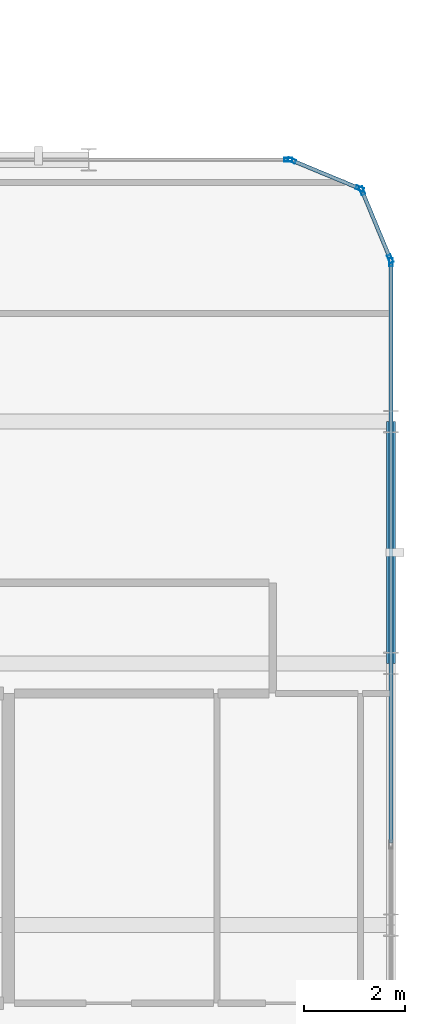
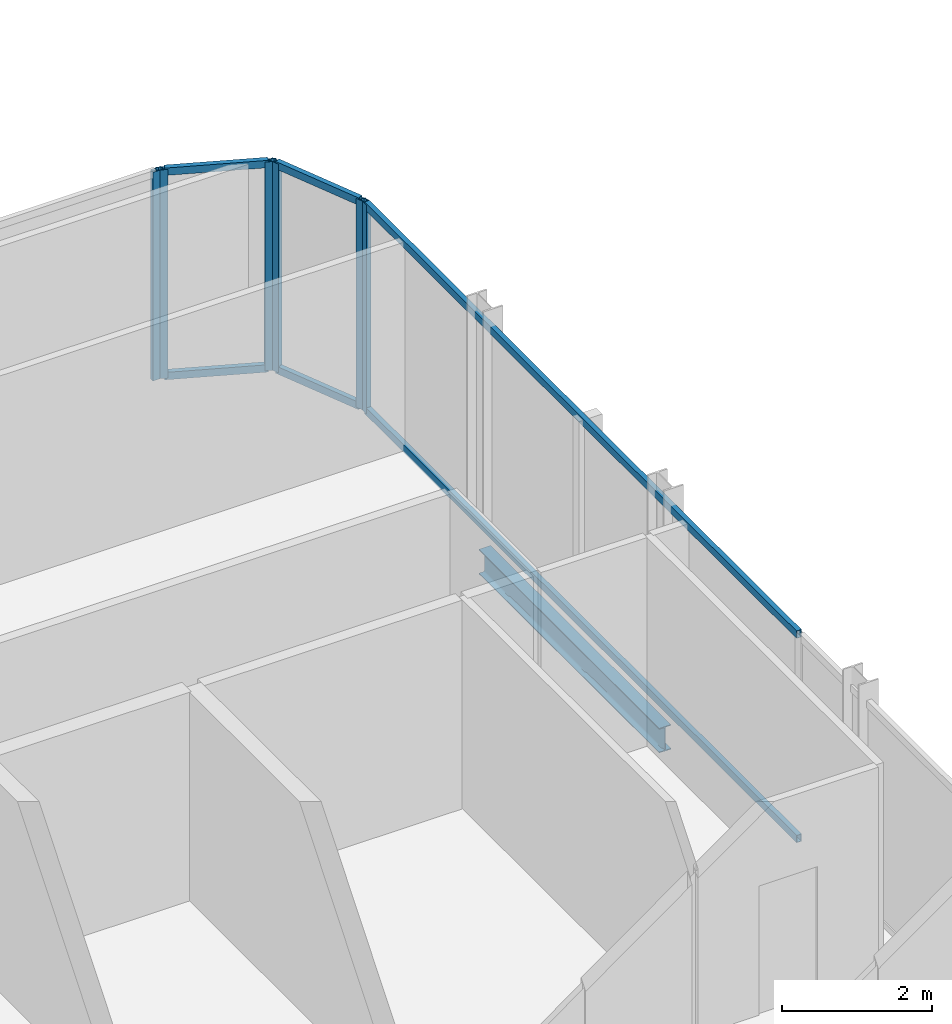
# One storey, part 15 of 29: 12 members, 1 beam, 4 elements without a shape of their own.
"""IFC4 building model written with IfcOpenShell, lengths in metres."""

import ifcopenshell
import ifcopenshell.guid

model = None  # the IFC model being written
_history = None  # IfcOwnerHistory: only IFC2X3 demands one
_inside = {}  # id of a spatial element -> (the spatial element, [elements in it])
_under = {}  # id of a project, library or spatial element -> (it, [spatial elements below it])
_declared = {}  # id of a project -> (the project, [libraries it declares])
_typed = {}  # id of a type object -> (the type object, [elements of that type])
_made_of = {}  # id of a material, layer set ... -> (it, [elements and type objects made of it])


def new_model(schema):
    """Start an empty IFC model of exactly this schema.

    Asked for "IFC4X3", IfcOpenShell would pick the latest addendum, in which some entities
    have other attributes; the version numbers below select the first issue.
    IFC2X3 requires an IfcOwnerHistory on every rooted entity: one is made here for all.
    """
    global model, _history
    if schema == "IFC4X3":
        model = ifcopenshell.file(schema_version=(4, 3, 0, 0))
    else:
        model = ifcopenshell.file(schema=schema)
    _inside.clear()
    _under.clear()
    _declared.clear()
    _typed.clear()
    _made_of.clear()
    _history = None
    if model.schema == "IFC2X3":
        org = make("IfcOrganization", Name="unknown")
        user = make(
            "IfcPersonAndOrganization",
            ThePerson=make("IfcPerson", FamilyName="unknown"),
            TheOrganization=org,
        )
        app = make(
            "IfcApplication",
            ApplicationDeveloper=org,
            Version="unknown",
            ApplicationFullName="unknown",
            ApplicationIdentifier="unknown",
        )
        _history = make(
            "IfcOwnerHistory",
            OwningUser=user,
            OwningApplication=app,
            ChangeAction="ADDED",
            CreationDate=0,
        )
    return model


def make(cls, **values):
    """One entity of the class cls with the attributes given. An attribute that is None is left unset."""
    return model.create_entity(
        cls, **{name: value for name, value in values.items() if value is not None}
    )


def rooted(cls, **values):
    """An entity with a GlobalId (a new one), such as an element, a storey or a relation."""
    return make(cls, GlobalId=ifcopenshell.guid.new(), OwnerHistory=_history, **values)


def si_unit(unit_type, name, prefix=None):
    """IfcSIUnit, for example si_unit("LENGTHUNIT", "METRE", prefix="MILLI")."""
    return make("IfcSIUnit", UnitType=unit_type, Prefix=prefix, Name=name)


def assignment(units):
    """IfcUnitAssignment: the units of a project."""
    return None if units is None else make("IfcUnitAssignment", Units=units)


def point(xyz):
    """IfcCartesianPoint."""
    return None if xyz is None else make("IfcCartesianPoint", Coordinates=xyz)


def direction(xyz):
    """IfcDirection."""
    return None if xyz is None else make("IfcDirection", DirectionRatios=xyz)


def frame(location, z_axis=None, x_axis=None):
    """IfcAxis2Placement3D, a coordinate frame: its origin and axes. An axis left out is left unset."""
    return make(
        "IfcAxis2Placement3D",
        Location=point(location),
        Axis=direction(z_axis),
        RefDirection=direction(x_axis),
    )


def frame_2d(location, x_axis=None):
    """IfcAxis2Placement2D, a coordinate frame in the plane: its origin and x axis."""
    return make(
        "IfcAxis2Placement2D", Location=point(location), RefDirection=direction(x_axis)
    )


def origin():
    """The frame at (0, 0, 0) with its axes left unset."""
    return frame((0.0, 0.0, 0.0))


def origin_2d():
    """The frame at (0, 0) in the plane with its x axis left unset."""
    return frame_2d((0.0, 0.0))


def place(relative_to, where):
    """IfcLocalPlacement: puts the frame where relative to a parent placement (None: the world)."""
    return make(
        "IfcLocalPlacement", PlacementRelTo=relative_to, RelativePlacement=where
    )


def context(
    kind, dimensions, precision=None, world=None, true_north=None, identifier=None
):
    """IfcGeometricRepresentationContext, for example the 3D "Model" context."""
    return make(
        "IfcGeometricRepresentationContext",
        ContextIdentifier=identifier,
        ContextType=kind,
        CoordinateSpaceDimension=dimensions,
        Precision=precision,
        WorldCoordinateSystem=world,
        TrueNorth=true_north,
    )


def subcontext(parent, identifier, kind, view, scale=None):
    """IfcGeometricRepresentationSubContext, for example "Body" below "Model"."""
    return make(
        "IfcGeometricRepresentationSubContext",
        ContextIdentifier=identifier,
        ContextType=kind,
        ParentContext=parent,
        TargetScale=scale,
        TargetView=view,
    )


def project(units=None, contexts=None):
    """IfcProject with its units and contexts."""
    return rooted(
        "IfcProject",
        Name="project",
        RepresentationContexts=contexts,
        UnitsInContext=assignment(units),
    )


def spatial(cls, under=None, at=None, **own):
    """A site, building, storey or space (cls), placed at a placement, below another one or the project."""
    s = rooted(cls, ObjectPlacement=at, **own)
    if under is not None:
        _under.setdefault(under.id(), (under, []))[1].append(s)
    return s


def profile(cls, at=None, kind="AREA", **sizes):
    """A parametric profile (cls). Its sizes go by their IFC names, for example OverallWidth=200.0."""
    return make(cls, ProfileType=kind, Position=at, **sizes)


def hollow_rectangle(**sizes):
    """IfcRectangleHollowProfileDef."""
    return profile("IfcRectangleHollowProfileDef", **sizes)


def i_section(**sizes):
    """IfcIShapeProfileDef."""
    return profile("IfcIShapeProfileDef", **sizes)


def extrude(swept, where, along, depth):
    """IfcExtrudedAreaSolid: the profile swept, set in the frame where, extruded along a direction by depth."""
    return make(
        "IfcExtrudedAreaSolid",
        SweptArea=swept,
        Position=where,
        ExtrudedDirection=direction(along),
        Depth=depth,
    )


def shape(context_of_items, identifier, shape_type, items):
    """IfcShapeRepresentation: the items that make up one representation, for example the "Body"."""
    return make(
        "IfcShapeRepresentation",
        ContextOfItems=context_of_items,
        RepresentationIdentifier=identifier,
        RepresentationType=shape_type,
        Items=items,
    )


def material(Name=None, Category=None):
    """IfcMaterial."""
    return make("IfcMaterial", Name=Name, Category=Category)


def layer(
    of_material, thickness, ventilated=None, Name=None, Category=None, Priority=None
):
    """IfcMaterialLayer: one layer of a wall or slab, of a material (None: an air gap)."""
    return make(
        "IfcMaterialLayer",
        Material=of_material,
        LayerThickness=thickness,
        IsVentilated=ventilated,
        Name=Name,
        Category=Category,
        Priority=Priority,
    )


def layer_set(layers, Name=None):
    """IfcMaterialLayerSet."""
    return make("IfcMaterialLayerSet", MaterialLayers=layers, LayerSetName=Name)


def material_profile(
    of_material, cross_section, Name=None, Category=None, Priority=None
):
    """IfcMaterialProfile: a cross section and its material."""
    return make(
        "IfcMaterialProfile",
        Name=Name,
        Material=of_material,
        Profile=cross_section,
        Priority=Priority,
        Category=Category,
    )


def profile_set(profiles, Name=None, composite=None):
    """IfcMaterialProfileSet."""
    return make(
        "IfcMaterialProfileSet",
        Name=Name,
        MaterialProfiles=profiles,
        CompositeProfile=composite,
    )


def made_of(thing, what):
    """Note that an element or type object is made of a material, layer set ...; save() writes the relation."""
    if what is not None:
        _made_of.setdefault(what.id(), (what, []))[1].append(thing)
    return thing


def type_object(cls, material=None, **own):
    """A type object (cls), such as IfcWallType, which elements share."""
    return made_of(rooted(cls, **own), material)


def element(
    cls,
    number,
    at=None,
    inside=None,
    cuts=None,
    type_object=None,
    material=None,
    context=None,
    identifier="Body",
    shape_type=None,
    held_by="IfcProductDefinitionShape",
    body=None,
    shapes=None,
    **own,
):
    """One element of the class cls, such as IfcWall. Its Tag is "e" and its number.

    at: its placement. inside: the storey or other place that contains it. cuts: it is an
    opening in that element (IfcRelVoidsElement). A single representation is given by context,
    identifier, shape_type and body (its items); several are given by shapes. held_by: the class
    of the entity that holds the representations. save() writes the other relations.
    """
    e = rooted(cls, Tag="e%d" % number, ObjectPlacement=at, **own)
    if body is not None:
        shapes = [shape(context, identifier, shape_type, body)]
    if shapes is not None:
        e.Representation = make(held_by, Representations=shapes)
    if inside is not None:
        _inside.setdefault(inside.id(), (inside, []))[1].append(e)
    if cuts is not None:
        rooted(
            "IfcRelVoidsElement", RelatingBuildingElement=cuts, RelatedOpeningElement=e
        )
    if type_object is not None:
        _typed.setdefault(type_object.id(), (type_object, []))[1].append(e)
    return made_of(e, material)


def aggregate(whole, parts):
    """IfcRelAggregates: a whole, such as a stair, and the parts it consists of."""
    return rooted("IfcRelAggregates", RelatingObject=whole, RelatedObjects=parts)


def save(model, path):
    """Write the relations noted so far, then the file.

    IfcRelAggregates (storeys below a building ...), IfcRelContainedInSpatialStructure (elements
    in a storey), IfcRelDefinesByType, IfcRelAssociatesMaterial and IfcRelDeclares: one each for
    every whole, place, type object, material and project.
    """
    for whole, parts in _under.values():
        aggregate(whole, parts)
    for where, things in _inside.values():
        rooted(
            "IfcRelContainedInSpatialStructure",
            RelatedElements=things,
            RelatingStructure=where,
        )
    for kind, things in _typed.values():
        rooted("IfcRelDefinesByType", RelatedObjects=things, RelatingType=kind)
    for what, things in _made_of.values():
        rooted("IfcRelAssociatesMaterial", RelatedObjects=things, RelatingMaterial=what)
    for by, libraries in _declared.values():
        rooted("IfcRelDeclares", RelatingContext=by, RelatedDefinitions=libraries)
    model.write(path)


model = new_model("IFC4")

# Units and contexts
model_context = context("Model", 3, precision=1e-05, world=origin(), true_north=direction((0.0, 1.0)))
body_context = subcontext(model_context, "Body", "Model", "MODEL_VIEW")
ifc_project = project(units=[si_unit("LENGTHUNIT", "METRE"), si_unit("AREAUNIT", "SQUARE_METRE"), si_unit("VOLUMEUNIT", "CUBIC_METRE"), si_unit("PLANEANGLEUNIT", "RADIAN"), si_unit("MASSUNIT", "GRAM", prefix="KILO")], contexts=[model_context])

# Site, building, storey
site_placement = place(None, origin())
site = spatial("IfcSite", under=ifc_project, at=site_placement, CompositionType="ELEMENT")
building_placement = place(site_placement, origin())
building = spatial("IfcBuilding", under=site, at=building_placement, Name="Keshet Zoharim Tower", CompositionType="ELEMENT")
storey_placement = place(building_placement, frame((0.0, 0.0, 188.39990234375)))
storey = spatial("IfcBuildingStorey", under=building, at=storey_placement, Name="L46", CompositionType="ELEMENT", Elevation=188.39990234375)

# Beam
ifc_material_1 = material(Name="Steel S355", Category="steel")
ifc_material_profile_1 = material_profile(ifc_material_1, i_section(OverallWidth=0.179931640625, OverallDepth=0.39990234375, WebThickness=0.008544921875, FlangeThickness=0.013427734375, FilletRadius=0.02099609375, at=origin_2d()), Name="IPE400")
ifc_profile_set_1 = profile_set([ifc_material_profile_1], Name="Steel S355")
beam_type = type_object("IfcBeamType", Name="BM-PRI-IP400", PredefinedType="BEAM", material=ifc_profile_set_1)
beam_placement = place(storey_placement, frame((57.0, 17.89990234375, -0.510009765625), z_axis=(0.0, 1.0, 0.0), x_axis=(-1.0, 0.0, 0.0)))
element("IfcBeam", 1, at=beam_placement, inside=storey, type_object=beam_type, Name="L46 Primary Girder Y-015", PredefinedType="BEAM", context=body_context, shape_type="SweptSolid", body=[
    extrude(i_section(OverallWidth=0.179931640625, OverallDepth=0.39990234375, WebThickness=0.008544921875, FlangeThickness=0.013427734375, FilletRadius=0.02099609375, at=origin_2d()), origin(), (0.0, 0.0, 1.0), 4.800048828125),
])

# Curtain wall, members
ifc_material_2 = material(Name="Aluminium 6063-T6", Category="aluminium")
ifc_layer = layer(ifc_material_2, 0.139892578125)
ifc_layer_set = layer_set([ifc_layer], Name="Aluminium 6063-T6")
curtain_wall_type = type_object("IfcCurtainWallType", Name="CW-SYS-05", PredefinedType="NOTDEFINED", material=ifc_layer_set)
curtain_wall_1_placement = place(storey_placement, origin())
curtain_wall_1 = element("IfcCurtainWall", 2, at=curtain_wall_1_placement, inside=storey, type_object=curtain_wall_type, Name="L46 Unitised Curtain Wall 01", PredefinedType="NOTDEFINED")
ifc_material_profile_2 = material_profile(ifc_material_2, hollow_rectangle(XDim=0.074951171875, YDim=0.159912109375, WallThickness=0.00390625, at=origin_2d()), Name="MUL-75x160")
ifc_profile_set_2 = profile_set([ifc_material_profile_2], Name="Aluminium 6063-T6")
member_type_1 = type_object("IfcMemberType", Name="CWM-M15", PredefinedType="MULLION", material=ifc_profile_set_2)
member_1_placement = place(storey_placement, frame((55.0322265625, 27.88671875, 0.0), z_axis=(0.0, 0.0, 1.0), x_axis=(0.382851849847, 0.92380975372, 0.0)))
member_1 = element("IfcMember", 3, at=member_1_placement, type_object=member_type_1, Name="CW-05 mullion 1", PredefinedType="MULLION", context=body_context, shape_type="SweptSolid", body=[
    extrude(hollow_rectangle(XDim=0.074951171875, YDim=0.159912109375, WallThickness=0.00390625, at=origin_2d()), origin(), (0.0, 0.0, 1.0), 3.39013671875),
])
member_2_placement = place(storey_placement, frame((56.381591796875, 27.327392578125, 0.0), z_axis=(0.0, 0.0, 1.0), x_axis=(0.382851849847, 0.92380975372, 0.0)))
member_2 = element("IfcMember", 4, at=member_2_placement, type_object=member_type_1, Name="CW-05 mullion 2", PredefinedType="MULLION", context=body_context, shape_type="SweptSolid", body=[
    extrude(hollow_rectangle(XDim=0.074951171875, YDim=0.159912109375, WallThickness=0.00390625, at=origin_2d()), origin(), (0.0, 0.0, 1.0), 3.39013671875),
])

curtain_wall_2_placement = place(storey_placement, origin())
curtain_wall_2 = element("IfcCurtainWall", 5, at=curtain_wall_2_placement, inside=storey, type_object=curtain_wall_type, Name="L46 Unitised Curtain Wall 02", PredefinedType="NOTDEFINED")
member_3_placement = place(storey_placement, frame((56.427490234375, 27.28173828125, 0.0), z_axis=(0.0, 0.0, 1.0), x_axis=(0.92380975372, 0.382851849847, 0.0)))
member_3 = element("IfcMember", 6, at=member_3_placement, type_object=member_type_1, Name="CW-05 mullion 1", PredefinedType="MULLION", context=body_context, shape_type="SweptSolid", body=[
    extrude(hollow_rectangle(XDim=0.074951171875, YDim=0.159912109375, WallThickness=0.00390625, at=origin_2d()), origin(), (0.0, 0.0, 1.0), 3.39013671875),
])
member_4_placement = place(storey_placement, frame((56.986572265625, 25.932373046875, 0.0), z_axis=(0.0, 0.0, 1.0), x_axis=(0.92380975372, 0.382851849847, 0.0)))
member_4 = element("IfcMember", 7, at=member_4_placement, type_object=member_type_1, Name="CW-05 mullion 2", PredefinedType="MULLION", context=body_context, shape_type="SweptSolid", body=[
    extrude(hollow_rectangle(XDim=0.074951171875, YDim=0.159912109375, WallThickness=0.00390625, at=origin_2d()), origin(), (0.0, 0.0, 1.0), 3.39013671875),
])

# Curtain wall, member
curtain_wall_3_placement = place(storey_placement, origin())
curtain_wall_3 = element("IfcCurtainWall", 8, at=curtain_wall_3_placement, inside=storey, type_object=curtain_wall_type, Name="L46 Unitised Curtain Wall 03", PredefinedType="NOTDEFINED")
member_5_placement = place(storey_placement, frame((57.0, 25.864990234375, 0.0), z_axis=(0.0, 0.0, 1.0), x_axis=(1.0, 0.0, 0.0)))
member_5 = element("IfcMember", 9, at=member_5_placement, type_object=member_type_1, Name="CW-05 mullion 1", PredefinedType="MULLION", context=body_context, shape_type="SweptSolid", body=[
    extrude(hollow_rectangle(XDim=0.074951171875, YDim=0.159912109375, WallThickness=0.00390625, at=origin_2d()), origin(), (0.0, 0.0, 1.0), 3.39013671875),
])

curtain_wall_4_placement = place(storey_placement, origin())
curtain_wall_4 = element("IfcCurtainWall", 10, at=curtain_wall_4_placement, inside=storey, type_object=curtain_wall_type, Name="L46 Unitised Curtain Wall 20 Part 2", PredefinedType="NOTDEFINED")
member_6_placement = place(storey_placement, frame((54.965087890625, 27.89990234375, 0.0), z_axis=(0.0, 0.0, 1.0), x_axis=(0.0, 1.0, 0.0)))
member_6 = element("IfcMember", 11, at=member_6_placement, type_object=member_type_1, Name="CW-05 mullion 2", PredefinedType="MULLION", context=body_context, shape_type="SweptSolid", body=[
    extrude(hollow_rectangle(XDim=0.074951171875, YDim=0.159912109375, WallThickness=0.00390625, at=origin_2d()), origin(), (0.0, 0.0, 1.0), 3.39013671875),
])
aggregate(curtain_wall_4, [member_6])

# Member
ifc_material_profile_3 = material_profile(ifc_material_2, hollow_rectangle(XDim=0.074951171875, YDim=0.1201171875, WallThickness=0.00390625, at=origin_2d()), Name="TRN-75x120")
ifc_profile_set_3 = profile_set([ifc_material_profile_3], Name="Aluminium 6063-T6")
member_type_2 = type_object("IfcMemberType", Name="CWT-T12", PredefinedType="USERDEFINED", material=ifc_profile_set_3)
member_7_placement = place(storey_placement, frame((55.064697265625, 27.873291015625, 0.03515625), z_axis=(0.92379209995, -0.382894445076, 0.0), x_axis=(0.382894445076, 0.92379209995, 0.0)))
member_7 = element("IfcMember", 12, at=member_7_placement, type_object=member_type_2, Name="CW-05 transom 1.1", ObjectType="TRANSOM", PredefinedType="USERDEFINED", context=body_context, shape_type="SweptSolid", body=[
    extrude(hollow_rectangle(XDim=0.074951171875, YDim=0.1201171875, WallThickness=0.00390625, at=origin_2d()), origin(), (0.0, 0.0, 1.0), 1.390625),
])

member_8_placement = place(storey_placement, frame((55.064697265625, 27.873291015625, 3.35498046875), z_axis=(0.92379209995, -0.382894445076, 0.0), x_axis=(0.382894445076, 0.92379209995, 0.0)))
member_8 = element("IfcMember", 13, at=member_8_placement, type_object=member_type_2, Name="CW-05 transom 1.2", ObjectType="TRANSOM", PredefinedType="USERDEFINED", context=body_context, shape_type="SweptSolid", body=[
    extrude(hollow_rectangle(XDim=0.074951171875, YDim=0.1201171875, WallThickness=0.00390625, at=origin_2d()), origin(), (0.0, 0.0, 1.0), 1.390625),
])

aggregate(curtain_wall_1, [member_1, member_2, member_7, member_8])

member_9_placement = place(storey_placement, frame((56.44091796875, 27.249267578125, 0.03515625), z_axis=(0.382744609247, -0.923854189844, 0.0), x_axis=(0.923854189844, 0.382744609247, 0.0)))
member_9 = element("IfcMember", 14, at=member_9_placement, type_object=member_type_2, Name="CW-05 transom 1.1", ObjectType="TRANSOM", PredefinedType="USERDEFINED", context=body_context, shape_type="SweptSolid", body=[
    extrude(hollow_rectangle(XDim=0.074951171875, YDim=0.1201171875, WallThickness=0.00390625, at=origin_2d()), origin(), (0.0, 0.0, 1.0), 1.390625),
])

member_10_placement = place(storey_placement, frame((56.44091796875, 27.249267578125, 3.35498046875), z_axis=(0.382744609247, -0.923854189844, 0.0), x_axis=(0.923854189844, 0.382744609247, 0.0)))
member_10 = element("IfcMember", 15, at=member_10_placement, type_object=member_type_2, Name="CW-05 transom 1.2", ObjectType="TRANSOM", PredefinedType="USERDEFINED", context=body_context, shape_type="SweptSolid", body=[
    extrude(hollow_rectangle(XDim=0.074951171875, YDim=0.1201171875, WallThickness=0.00390625, at=origin_2d()), origin(), (0.0, 0.0, 1.0), 1.390625),
])

aggregate(curtain_wall_2, [member_3, member_4, member_9, member_10])

member_11_placement = place(storey_placement, frame((57.0, 25.830078125, 0.03515625), z_axis=(0.0, -1.0, 0.0), x_axis=(1.0, 0.0, 0.0)))
member_11 = element("IfcMember", 16, at=member_11_placement, type_object=member_type_2, Name="CW-05 transom 1.1", ObjectType="TRANSOM", PredefinedType="USERDEFINED", context=body_context, shape_type="SweptSolid", body=[
    extrude(hollow_rectangle(XDim=0.074951171875, YDim=0.1201171875, WallThickness=0.00390625, at=origin_2d()), origin(), (0.0, 0.0, 1.0), 11.4951171875),
])

member_12_placement = place(storey_placement, frame((57.0, 25.830078125, 3.35498046875), z_axis=(0.0, -1.0, 0.0), x_axis=(1.0, 0.0, 0.0)))
member_12 = element("IfcMember", 17, at=member_12_placement, type_object=member_type_2, Name="CW-05 transom 1.2", ObjectType="TRANSOM", PredefinedType="USERDEFINED", context=body_context, shape_type="SweptSolid", body=[
    extrude(hollow_rectangle(XDim=0.074951171875, YDim=0.1201171875, WallThickness=0.00390625, at=origin_2d()), origin(), (0.0, 0.0, 1.0), 11.4951171875),
])

aggregate(curtain_wall_3, [member_5, member_11, member_12])

save(model, "model.ifc")
